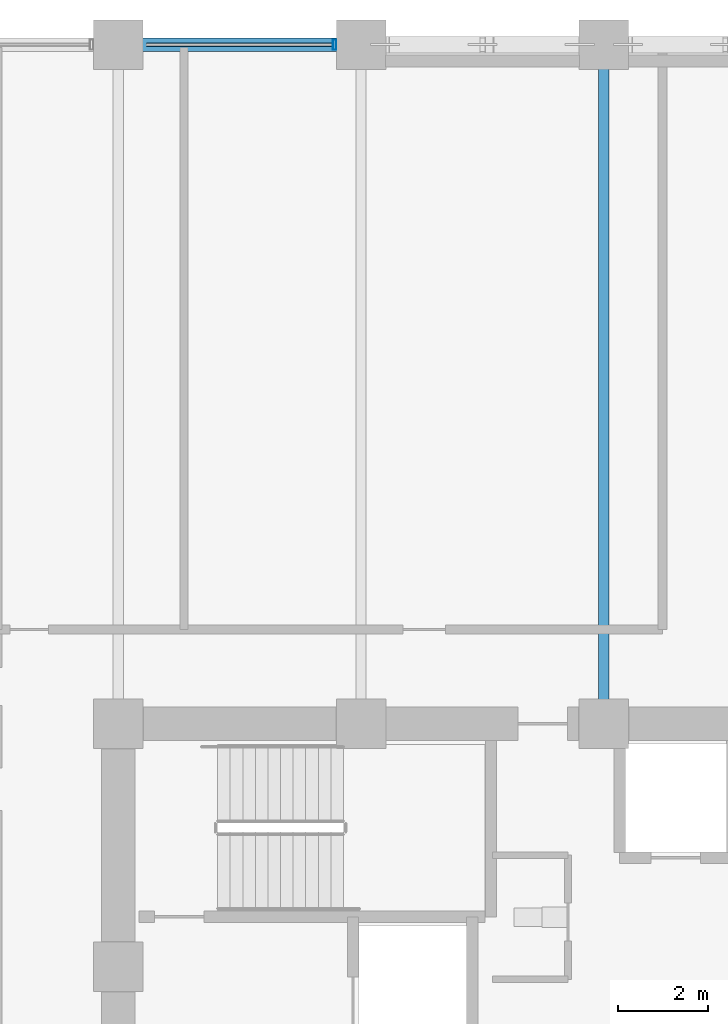
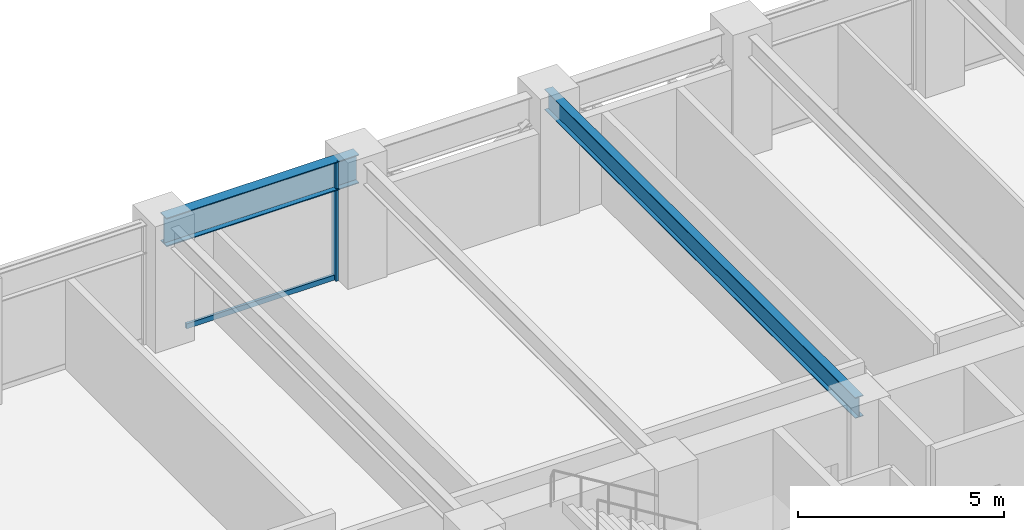
# One storey, part 15 of 29: 2 beams, 2 members, 1 element without a shape of its own.
"""IFC4 building model written with IfcOpenShell, lengths in metres."""

from ifc_helpers import new_model, si_unit, direction, frame, origin, origin_2d, place, context, subcontext, project, spatial, hollow_rectangle, i_section, extrude, material, layer, layer_set, material_profile, profile_set, type_object, element, aggregate, save


model = new_model("IFC4")

# Units and contexts
model_context = context("Model", 3, precision=1e-05, world=origin(), true_north=direction((0.0, 1.0)))
body_context = subcontext(model_context, "Body", "Model", "MODEL_VIEW")
ifc_project = project(units=[si_unit("LENGTHUNIT", "METRE"), si_unit("AREAUNIT", "SQUARE_METRE"), si_unit("VOLUMEUNIT", "CUBIC_METRE"), si_unit("PLANEANGLEUNIT", "RADIAN"), si_unit("MASSUNIT", "GRAM", prefix="KILO")], contexts=[model_context])

# Site, building, storey
site_placement = place(None, origin())
site = spatial("IfcSite", under=ifc_project, at=site_placement, CompositionType="ELEMENT")
building_placement = place(site_placement, origin())
building = spatial("IfcBuilding", under=site, at=building_placement, Name="Surkhivell Harbour Commons", CompositionType="ELEMENT")
storey_placement = place(building_placement, frame((0.0, 0.0, 90.75)))
storey = spatial("IfcBuildingStorey", under=building, at=storey_placement, Name="L23", CompositionType="ELEMENT", Elevation=90.75)

# Beams
ifc_material_1 = material(Name="Steel S355", Category="steel")
ifc_material_profile_1 = material_profile(ifc_material_1, i_section(OverallWidth=0.22998046875, OverallDepth=0.616943359375, WebThickness=0.01318359375, FlangeThickness=0.022216796875, at=origin_2d()), Name="UB610x229x140")
ifc_profile_set_1 = profile_set([ifc_material_profile_1], Name="Steel S355")
beam_type_1 = type_object("IfcBeamType", Name="BM-GRD-610B", PredefinedType="BEAM", material=ifc_profile_set_1)
beam_1_placement = place(storey_placement, frame((0.0, 10.800048828125, 3.261474609375), z_axis=(0.0, 1.0, 0.0), x_axis=(-1.0, 0.0, 0.0)))
element("IfcBeam", 1, at=beam_1_placement, inside=storey, type_object=beam_type_1, Name="L23 Floor Girder (0.0,10.8)", PredefinedType="BEAM", context=body_context, shape_type="SweptSolid", body=[
    extrude(i_section(OverallWidth=0.22998046875, OverallDepth=0.616943359375, WebThickness=0.01318359375, FlangeThickness=0.022216796875, at=origin_2d()), origin(), (0.0, 0.0, 1.0), 15.099853515625),
])
ifc_material_2 = material(Name="Steel S460", Category="steel")
ifc_material_profile_2 = material_profile(ifc_material_2, i_section(OverallWidth=0.2939453125, OverallDepth=0.85107421875, WebThickness=0.01611328125, FlangeThickness=0.02685546875, at=origin_2d()), Name="UB838x292x226")
ifc_profile_set_2 = profile_set([ifc_material_profile_2], Name="Steel S460")
beam_type_2 = type_object("IfcBeamType", Name="BM-SPN-838", PredefinedType="SPANDREL", material=ifc_profile_set_2)
beam_2_placement = place(storey_placement, frame((-10.800048828125, 25.89990234375, 3.14453125), z_axis=(1.0, 0.0, 0.0), x_axis=(0.0, 1.0, 0.0)))
element("IfcBeam", 2, at=beam_2_placement, inside=storey, type_object=beam_type_2, Name="L23 Tube Spandrel (-10.8,25.9)", PredefinedType="SPANDREL", context=body_context, shape_type="SweptSolid", body=[
    extrude(i_section(OverallWidth=0.2939453125, OverallDepth=0.85107421875, WebThickness=0.01611328125, FlangeThickness=0.02685546875, at=origin_2d()), origin(), (0.0, 0.0, 1.0), 5.400146484375),
])

# Curtain wall, members
ifc_material_3 = material(Name="Anodised pale-metal aluminium and insulated glazing", Category="aluminium")
ifc_layer = layer(ifc_material_3, 0.205078125)
ifc_layer_set = layer_set([ifc_layer], Name="Anodised pale-metal aluminium and insulated glazing")
curtain_wall_type = type_object("IfcCurtainWallType", Name="CW-SYS-Z2", PredefinedType="NOTDEFINED", material=ifc_layer_set)
curtain_wall_placement = place(storey_placement, origin())
curtain_wall = element("IfcCurtainWall", 3, at=curtain_wall_placement, inside=storey, type_object=curtain_wall_type, Name="L23 Curtain Wall CW-L23-E07S2", PredefinedType="NOTDEFINED")
ifc_material_4 = material(Name="Anodised pale-metal aluminium alloy 6063-T6", Category="aluminium")
ifc_material_profile_3 = material_profile(ifc_material_4, hollow_rectangle(XDim=0.074951171875, YDim=0.219970703125, WallThickness=0.00390625, at=origin_2d()), Name="ALU-MULL-75x220")
ifc_profile_set_3 = profile_set([ifc_material_profile_3], Name="Anodised pale-metal aluminium alloy 6063-T6")
member_type_1 = type_object("IfcMemberType", Name="CWM-220", PredefinedType="MULLION", material=ifc_profile_set_3)
member_1_placement = place(storey_placement, frame((-5.989501953125, 25.89990234375, 0.0), z_axis=(0.0, 0.0, 1.0), x_axis=(-1.0, 0.0, 0.0)))
member_1 = element("IfcMember", 4, at=member_1_placement, type_object=member_type_1, Name="CW-Z2 mullion 1", PredefinedType="MULLION", context=body_context, shape_type="SweptSolid", body=[
    extrude(hollow_rectangle(XDim=0.074951171875, YDim=0.219970703125, WallThickness=0.00390625, at=origin_2d()), origin(), (0.0, 0.0, 1.0), 3.570068359375),
])
ifc_material_profile_4 = material_profile(ifc_material_4, hollow_rectangle(XDim=0.074951171875, YDim=0.14990234375, WallThickness=0.00341796875, at=origin_2d()), Name="ALU-TRAN-75x150")
ifc_profile_set_4 = profile_set([ifc_material_profile_4], Name="Anodised pale-metal aluminium alloy 6063-T6")
member_type_2 = type_object("IfcMemberType", Name="CWT-150", PredefinedType="USERDEFINED", material=ifc_profile_set_4)
member_2_placement = place(storey_placement, frame((-6.027099609375, 25.89990234375, 0.074951171875), z_axis=(-1.0, 0.0, 0.0), x_axis=(0.0, -1.0, 0.0)))
member_2 = element("IfcMember", 5, at=member_2_placement, type_object=member_type_2, Name="CW-Z2 transom 1.1", ObjectType="TRANSOM", PredefinedType="USERDEFINED", context=body_context, shape_type="SweptSolid", body=[
    extrude(hollow_rectangle(XDim=0.074951171875, YDim=0.14990234375, WallThickness=0.00341796875, at=origin_2d()), origin(), (0.0, 0.0, 1.0), 4.14599609375),
])
aggregate(curtain_wall, [member_1, member_2])

save(model, "model.ifc")
